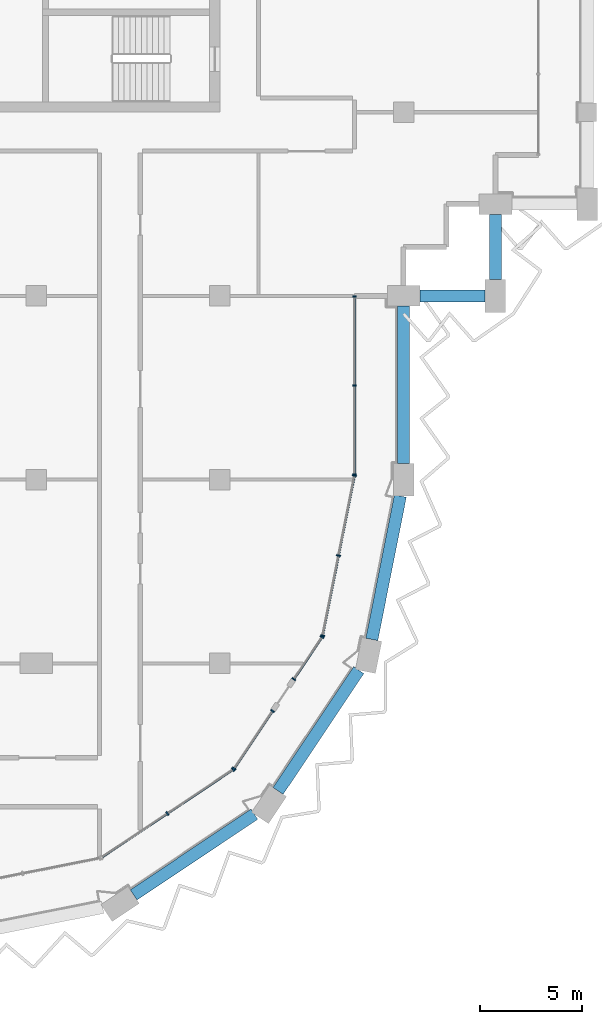
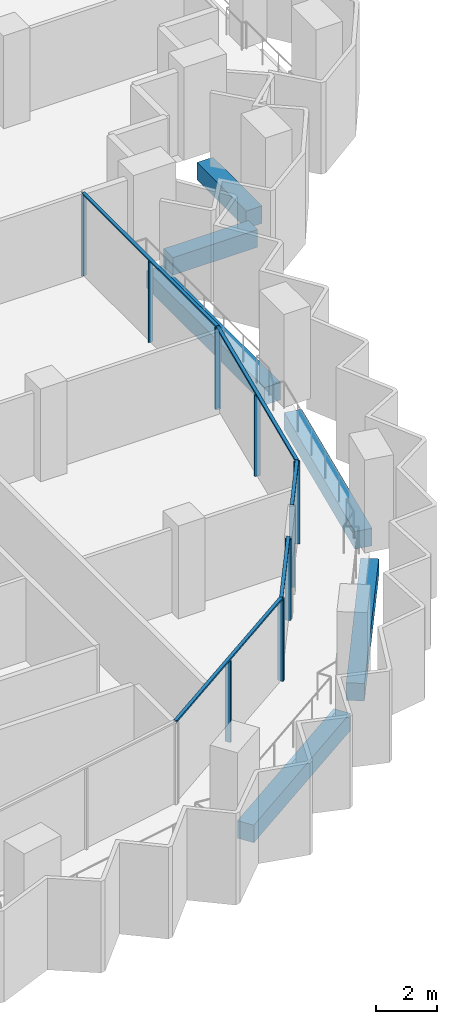
# One storey, part 3 of 16: 17 members, 6 beams, 5 elements without a shape of their own.
"""IFC4 building model written with IfcOpenShell, lengths in metres."""

from ifc_helpers import new_model, si_unit, direction, frame, origin, origin_2d, place, context, subcontext, project, spatial, rectangle, extrude, material, material_profile, profile_set, type_object, element, aggregate, save


model = new_model("IFC4")

# Units and contexts
model_context = context("Model", 3, precision=1e-05, world=origin(), true_north=direction((0.0, 1.0)))
body_context = subcontext(model_context, "Body", "Model", "MODEL_VIEW")
ifc_project = project(units=[si_unit("LENGTHUNIT", "METRE"), si_unit("AREAUNIT", "SQUARE_METRE"), si_unit("VOLUMEUNIT", "CUBIC_METRE"), si_unit("PLANEANGLEUNIT", "RADIAN"), si_unit("MASSUNIT", "GRAM", prefix="KILO")], contexts=[model_context])

# Site, building, storey
site_placement = place(None, origin())
site = spatial("IfcSite", under=ifc_project, at=site_placement, CompositionType="ELEMENT")
building_placement = place(site_placement, origin())
building = spatial("IfcBuilding", under=site, at=building_placement, Name="Hunhe Ridgeline Campus", CompositionType="ELEMENT")
storey_placement = place(building_placement, frame((0.0, 0.0, 246.60009765625)))
storey = spatial("IfcBuildingStorey", under=building, at=storey_placement, Name="L63", CompositionType="ELEMENT", Elevation=246.60009765625)

# Curtain wall, members
ifc_material_1 = material(Name="Aluminium 6063", Category="aluminium")
curtain_wall_type_1 = type_object("IfcCurtainWallType", Name="Curtain wall CW-1", PredefinedType="NOTDEFINED", material=ifc_material_1)
curtain_wall_1_placement = place(storey_placement, origin())
curtain_wall_1 = element("IfcCurtainWall", 1, at=curtain_wall_1_placement, inside=storey, type_object=curtain_wall_type_1, Name="Curtain wall 11", PredefinedType="NOTDEFINED")
ifc_material_profile_1 = material_profile(ifc_material_1, rectangle(XDim=0.159912109375, YDim=0.06005859375, at=origin_2d()))
ifc_profile_set_1 = profile_set([ifc_material_profile_1], Name="Aluminium 6063")
member_type_1 = type_object("IfcMemberType", Name="CW-1 aluminium mullion", PredefinedType="MULLION", material=ifc_profile_set_1)
member_1_placement = place(storey_placement, frame((42.59912109375, 45.266357421875, 0.0), z_axis=(0.0, 0.0, 1.0), x_axis=(-0.999999999814, 1.9283253e-05, 0.0)))
member_1 = element("IfcMember", 2, at=member_1_placement, type_object=member_type_1, Name="CW-1 mullion 1", PredefinedType="MULLION", context=body_context, shape_type="SweptSolid", body=[
    extrude(rectangle(XDim=0.159912109375, YDim=0.06005859375, at=origin_2d()), origin(), (0.0, 0.0, 1.0), 3.239990234375),
])
member_2_placement = place(storey_placement, frame((42.59912109375, 49.618408203125, 0.0), z_axis=(0.0, 0.0, 1.0), x_axis=(-0.999999999814, 1.9283253e-05, 0.0)))
member_2 = element("IfcMember", 3, at=member_2_placement, type_object=member_type_1, Name="CW-1 mullion 2", PredefinedType="MULLION", context=body_context, shape_type="SweptSolid", body=[
    extrude(rectangle(XDim=0.159912109375, YDim=0.06005859375, at=origin_2d()), origin(), (0.0, 0.0, 1.0), 3.239990234375),
])
member_3_placement = place(storey_placement, frame((42.59912109375, 53.970458984375, 0.0), z_axis=(0.0, 0.0, 1.0), x_axis=(-0.999999999814, 1.9283253e-05, 0.0)))
member_3 = element("IfcMember", 4, at=member_3_placement, type_object=member_type_1, Name="CW-1 mullion 3", PredefinedType="MULLION", context=body_context, shape_type="SweptSolid", body=[
    extrude(rectangle(XDim=0.159912109375, YDim=0.06005859375, at=origin_2d()), origin(), (0.0, 0.0, 1.0), 3.239990234375),
])
ifc_material_profile_2 = material_profile(ifc_material_1, rectangle(XDim=0.1201171875, YDim=0.06005859375, at=origin_2d()))
ifc_profile_set_2 = profile_set([ifc_material_profile_2], Name="Aluminium 6063")
member_type_2 = type_object("IfcMemberType", Name="CW-1 aluminium transom", PredefinedType="USERDEFINED", material=ifc_profile_set_2)
member_4_placement = place(storey_placement, frame((42.59912109375, 45.236572265625, 3.27001953125), z_axis=(0.0, 1.0, 0.0), x_axis=(-1.0, 0.0, 0.0)))
member_4 = element("IfcMember", 5, at=member_4_placement, type_object=member_type_2, Name="CW-1 transom 1", ObjectType="TRANSOM", PredefinedType="USERDEFINED", context=body_context, shape_type="SweptSolid", body=[
    extrude(rectangle(XDim=0.1201171875, YDim=0.06005859375, at=origin_2d()), origin(), (0.0, 0.0, 1.0), 8.763916015625),
])
aggregate(curtain_wall_1, [member_4, member_1, member_2, member_3])

curtain_wall_type_2 = type_object("IfcCurtainWallType", Name="Curtain wall CW-5", PredefinedType="NOTDEFINED", material=ifc_material_1)
curtain_wall_2_placement = place(storey_placement, origin())
curtain_wall_2 = element("IfcCurtainWall", 6, at=curtain_wall_2_placement, inside=storey, type_object=curtain_wall_type_2, Name="Curtain wall 07", PredefinedType="NOTDEFINED")
ifc_material_profile_3 = material_profile(ifc_material_1, rectangle(XDim=0.199951171875, YDim=0.070068359375, at=origin_2d()))
ifc_profile_set_3 = profile_set([ifc_material_profile_3], Name="Aluminium 6063")
member_type_3 = type_object("IfcMemberType", Name="CW-5 aluminium mullion", PredefinedType="MULLION", material=ifc_profile_set_3)
member_5_placement = place(storey_placement, frame((33.42626953125, 28.647705078125, 0.0), z_axis=(0.0, 0.0, 1.0), x_axis=(-0.555570274596, 0.831469584522, 0.0)))
member_5 = element("IfcMember", 7, at=member_5_placement, type_object=member_type_3, Name="CW-5 mullion 2", PredefinedType="MULLION", context=body_context, shape_type="SweptSolid", body=[
    extrude(rectangle(XDim=0.199951171875, YDim=0.070068359375, at=origin_2d()), origin(), (0.0, 0.0, 1.0), 3.22998046875),
])
member_6_placement = place(storey_placement, frame((36.649658203125, 30.8017578125, 0.0), z_axis=(0.0, 0.0, 1.0), x_axis=(-0.555570274596, 0.831469584522, 0.0)))
member_6 = element("IfcMember", 8, at=member_6_placement, type_object=member_type_3, Name="CW-5 mullion 3", PredefinedType="MULLION", context=body_context, shape_type="SweptSolid", body=[
    extrude(rectangle(XDim=0.199951171875, YDim=0.070068359375, at=origin_2d()), origin(), (0.0, 0.0, 1.0), 3.22998046875),
])

curtain_wall_3_placement = place(storey_placement, origin())
curtain_wall_3 = element("IfcCurtainWall", 9, at=curtain_wall_3_placement, inside=storey, type_object=curtain_wall_type_2, Name="Curtain wall 08", PredefinedType="NOTDEFINED")
member_7_placement = place(storey_placement, frame((36.6982421875, 30.850341796875, 0.0), z_axis=(0.0, 0.0, 1.0), x_axis=(-0.831469595944, 0.555570257501, 0.0)))
member_7 = element("IfcMember", 10, at=member_7_placement, type_object=member_type_3, Name="CW-5 mullion 1", PredefinedType="MULLION", context=body_context, shape_type="SweptSolid", body=[
    extrude(rectangle(XDim=0.199951171875, YDim=0.070068359375, at=origin_2d()), origin(), (0.0, 0.0, 1.0), 3.22998046875),
])
member_8_placement = place(storey_placement, frame((38.582763671875, 33.67041015625, 0.0), z_axis=(0.0, 0.0, 1.0), x_axis=(-0.831469595944, 0.555570257501, 0.0)))
member_8 = element("IfcMember", 11, at=member_8_placement, type_object=member_type_3, Name="CW-5 mullion 2", PredefinedType="MULLION", context=body_context, shape_type="SweptSolid", body=[
    extrude(rectangle(XDim=0.199951171875, YDim=0.070068359375, at=origin_2d()), origin(), (0.0, 0.0, 1.0), 3.22998046875),
])

curtain_wall_4_placement = place(storey_placement, origin())
curtain_wall_4 = element("IfcCurtainWall", 12, at=curtain_wall_4_placement, inside=storey, type_object=curtain_wall_type_2, Name="Curtain wall 09", PredefinedType="NOTDEFINED")
member_9_placement = place(storey_placement, frame((39.62158203125, 35.225341796875, 0.0), z_axis=(0.0, 0.0, 1.0), x_axis=(-0.831469510353, 0.555570385598, 0.0)))
member_9 = element("IfcMember", 13, at=member_9_placement, type_object=member_type_3, Name="CW-5 mullion 1", PredefinedType="MULLION", context=body_context, shape_type="SweptSolid", body=[
    extrude(rectangle(XDim=0.199951171875, YDim=0.070068359375, at=origin_2d()), origin(), (0.0, 0.0, 1.0), 3.22998046875),
])
member_10_placement = place(storey_placement, frame((41.006103515625, 37.29736328125, 0.0), z_axis=(0.0, 0.0, 1.0), x_axis=(-0.831469510353, 0.555570385598, 0.0)))
member_10 = element("IfcMember", 14, at=member_10_placement, type_object=member_type_3, Name="CW-5 mullion 2", PredefinedType="MULLION", context=body_context, shape_type="SweptSolid", body=[
    extrude(rectangle(XDim=0.199951171875, YDim=0.070068359375, at=origin_2d()), origin(), (0.0, 0.0, 1.0), 3.22998046875),
])

curtain_wall_5_placement = place(storey_placement, origin())
curtain_wall_5 = element("IfcCurtainWall", 15, at=curtain_wall_5_placement, inside=storey, type_object=curtain_wall_type_2, Name="Curtain wall 10", PredefinedType="NOTDEFINED")
member_11_placement = place(storey_placement, frame((41.032470703125, 37.36083984375, 0.0), z_axis=(0.0, 0.0, 1.0), x_axis=(-0.980785284939, 0.195090299215, 0.0)))
member_11 = element("IfcMember", 16, at=member_11_placement, type_object=member_type_3, Name="CW-5 mullion 1", PredefinedType="MULLION", context=body_context, shape_type="SweptSolid", body=[
    extrude(rectangle(XDim=0.199951171875, YDim=0.070068359375, at=origin_2d()), origin(), (0.0, 0.0, 1.0), 3.22998046875),
])
member_12_placement = place(storey_placement, frame((41.812255859375, 41.281494140625, 0.0), z_axis=(0.0, 0.0, 1.0), x_axis=(-0.980785284939, 0.195090299215, 0.0)))
member_12 = element("IfcMember", 17, at=member_12_placement, type_object=member_type_3, Name="CW-5 mullion 2", PredefinedType="MULLION", context=body_context, shape_type="SweptSolid", body=[
    extrude(rectangle(XDim=0.199951171875, YDim=0.070068359375, at=origin_2d()), origin(), (0.0, 0.0, 1.0), 3.22998046875),
])
member_13_placement = place(storey_placement, frame((42.59228515625, 45.2021484375, 0.0), z_axis=(0.0, 0.0, 1.0), x_axis=(-0.980785284939, 0.195090299215, 0.0)))
member_13 = element("IfcMember", 18, at=member_13_placement, type_object=member_type_3, Name="CW-5 mullion 3", PredefinedType="MULLION", context=body_context, shape_type="SweptSolid", body=[
    extrude(rectangle(XDim=0.199951171875, YDim=0.070068359375, at=origin_2d()), origin(), (0.0, 0.0, 1.0), 3.22998046875),
])

# Member
ifc_material_profile_4 = material_profile(ifc_material_1, rectangle(XDim=0.1201171875, YDim=0.070068359375, at=origin_2d()))
ifc_profile_set_4 = profile_set([ifc_material_profile_4], Name="Aluminium 6063")
member_type_4 = type_object("IfcMemberType", Name="CW-5 aluminium transom", PredefinedType="USERDEFINED", material=ifc_profile_set_4)
member_14_placement = place(storey_placement, frame((30.173583984375, 26.474365234375, 3.264892578125), z_axis=(0.831473763475, 0.5555640203, 0.0), x_axis=(-0.5555640203, 0.831473763475, 0.0)))
member_14 = element("IfcMember", 19, at=member_14_placement, type_object=member_type_4, Name="CW-5 transom 1", ObjectType="TRANSOM", PredefinedType="USERDEFINED", context=body_context, shape_type="SweptSolid", body=[
    extrude(rectangle(XDim=0.1201171875, YDim=0.070068359375, at=origin_2d()), origin(), (0.0, 0.0, 1.0), 7.823974609375),
])

aggregate(curtain_wall_2, [member_14, member_5, member_6])

member_15_placement = place(storey_placement, frame((36.678955078125, 30.821044921875, 3.264892578125), z_axis=(0.555546133463, 0.831485714606, 0.0), x_axis=(-0.831485714606, 0.555546133463, 0.0)))
member_15 = element("IfcMember", 20, at=member_15_placement, type_object=member_type_4, Name="CW-5 transom 1", ObjectType="TRANSOM", PredefinedType="USERDEFINED", context=body_context, shape_type="SweptSolid", body=[
    extrude(rectangle(XDim=0.1201171875, YDim=0.070068359375, at=origin_2d()), origin(), (0.0, 0.0, 1.0), 3.462158203125),
])

aggregate(curtain_wall_3, [member_15, member_7, member_8])

member_16_placement = place(storey_placement, frame((39.602294921875, 35.1962890625, 3.264892578125), z_axis=(0.555579547735, 0.831463388334, 0.0), x_axis=(-0.831463388334, 0.555579547735, 0.0)))
member_16 = element("IfcMember", 21, at=member_16_placement, type_object=member_type_4, Name="CW-5 transom 1", ObjectType="TRANSOM", PredefinedType="USERDEFINED", context=body_context, shape_type="SweptSolid", body=[
    extrude(rectangle(XDim=0.1201171875, YDim=0.070068359375, at=origin_2d()), origin(), (0.0, 0.0, 1.0), 2.56201171875),
])

aggregate(curtain_wall_4, [member_16, member_9, member_10])

member_17_placement = place(storey_placement, frame((41.025634765625, 37.326416015625, 3.264892578125), z_axis=(0.195097290093, 0.980783894341, 0.0), x_axis=(-0.980783894341, 0.195097290093, 0.0)))
member_17 = element("IfcMember", 22, at=member_17_placement, type_object=member_type_4, Name="CW-5 transom 1", ObjectType="TRANSOM", PredefinedType="USERDEFINED", context=body_context, shape_type="SweptSolid", body=[
    extrude(rectangle(XDim=0.1201171875, YDim=0.070068359375, at=origin_2d()), origin(), (0.0, 0.0, 1.0), 8.065185546875),
])

aggregate(curtain_wall_5, [member_17, member_11, member_12, member_13])

# Beams
ifc_material_2 = material(Name="Concrete C50", Category="concrete")
ifc_material_profile_5 = material_profile(ifc_material_2, rectangle(XDim=0.60009765625, YDim=0.699951171875, at=origin_2d()))
ifc_profile_set_5 = profile_set([ifc_material_profile_5], Name="Concrete C50")
beam_type = type_object("IfcBeamType", Name="RC spandrel beam 600x700 Concrete C50", PredefinedType="SPANDREL", material=ifc_profile_set_5)
for number, where, z_axis, x_axis, name in (
    (23, (31.775634765625, 24.6572265625, -0.60009765625), (0.831463706344, 0.55557907181, 0.0), (-0.55557907181, 0.831463706344, 0.0), "Spandrel beam B4-6 L63"),
    (24, (38.854248046875, 29.75537109375, -0.60009765625), (0.55557907181, 0.831463706344, 0.0), (-0.831463706344, 0.55557907181, 0.0), "Spandrel beam B4-7 L63"),
):
    element("IfcBeam", number, at=place(storey_placement, frame(where, z_axis=z_axis, x_axis=x_axis)), inside=storey, type_object=beam_type, Name=name, PredefinedType="SPANDREL", context=body_context, shape_type="SweptSolid", body=[
        extrude(rectangle(XDim=0.60009765625, YDim=0.699951171875, at=origin_2d()), origin(), (0.0, 0.0, 1.0), 7.113037109375),
    ])
beam_1_placement = place(storey_placement, frame((43.443359375, 37.17431640625, -0.60009765625), z_axis=(0.195087004291, 0.980785940334, 0.0), x_axis=(-0.980785940334, 0.195087004291, 0.0)))
element("IfcBeam", 25, at=beam_1_placement, inside=storey, type_object=beam_type, Name="Spandrel beam B4-8 L63", PredefinedType="SPANDREL", context=body_context, shape_type="SweptSolid", body=[
    extrude(rectangle(XDim=0.60009765625, YDim=0.699951171875, at=origin_2d()), origin(), (0.0, 0.0, 1.0), 7.163330078125),
])
beam_2_placement = place(storey_placement, frame((45.0, 45.800048828125, -0.60009765625), z_axis=(0.0, 1.0, 0.0), x_axis=(-1.0, 0.0, 0.0)))
element("IfcBeam", 26, at=beam_2_placement, inside=storey, type_object=beam_type, Name="Spandrel beam B4-9 L63", PredefinedType="SPANDREL", context=body_context, shape_type="SweptSolid", body=[
    extrude(rectangle(XDim=0.60009765625, YDim=0.699951171875, at=origin_2d()), origin(), (0.0, 0.0, 1.0), 7.699951171875),
])
for number, where, z_axis, x_axis, name in (
    (27, (45.800048828125, 54.0, -0.60009765625), (1.0, 0.0, 0.0), (0.0, 1.0, 0.0), "Spandrel beam B4-10 L63"),
    (28, (49.5, 54.800048828125, -0.60009765625), (0.0, 1.0, 0.0), (-1.0, 0.0, 0.0), "Spandrel beam B4-11 L63"),
):
    element("IfcBeam", number, at=place(storey_placement, frame(where, z_axis=z_axis, x_axis=x_axis)), inside=storey, type_object=beam_type, Name=name, PredefinedType="SPANDREL", context=body_context, shape_type="SweptSolid", body=[
        extrude(rectangle(XDim=0.60009765625, YDim=0.699951171875, at=origin_2d()), origin(), (0.0, 0.0, 1.0), 3.199951171875),
    ])

save(model, "model.ifc")
